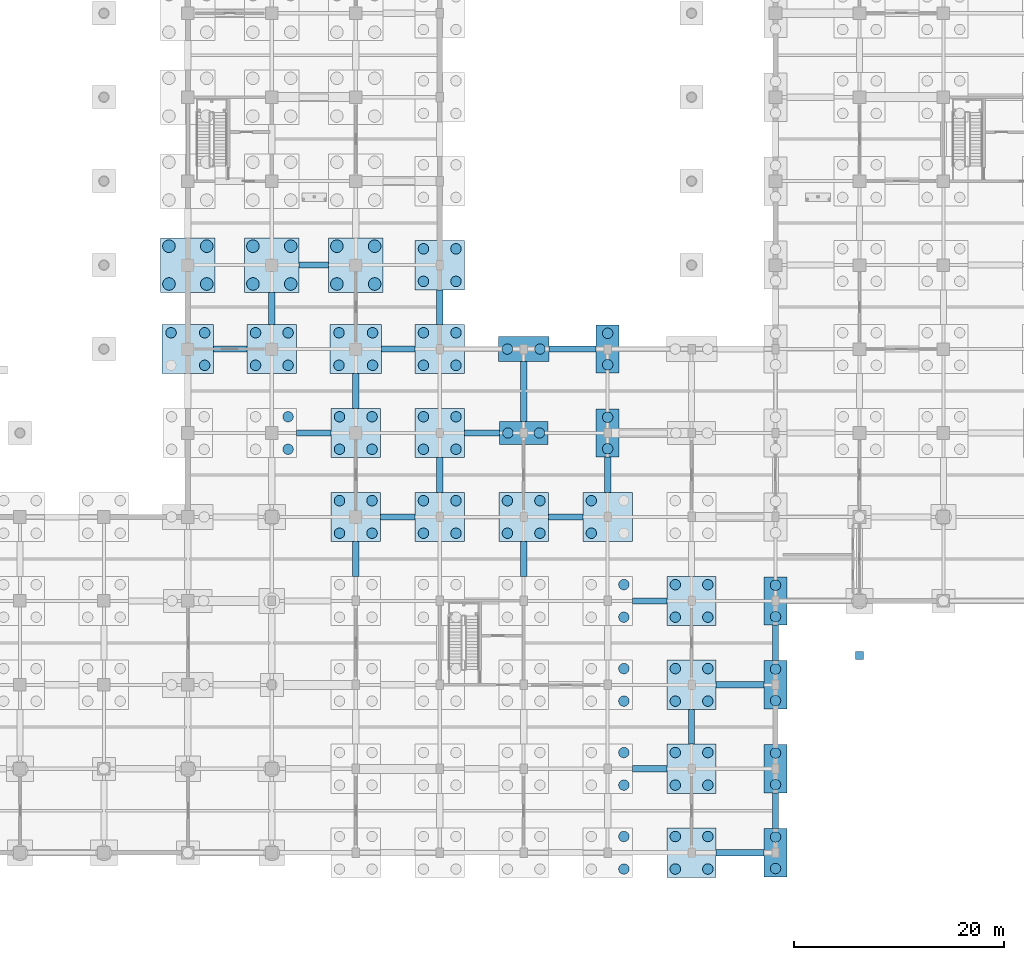
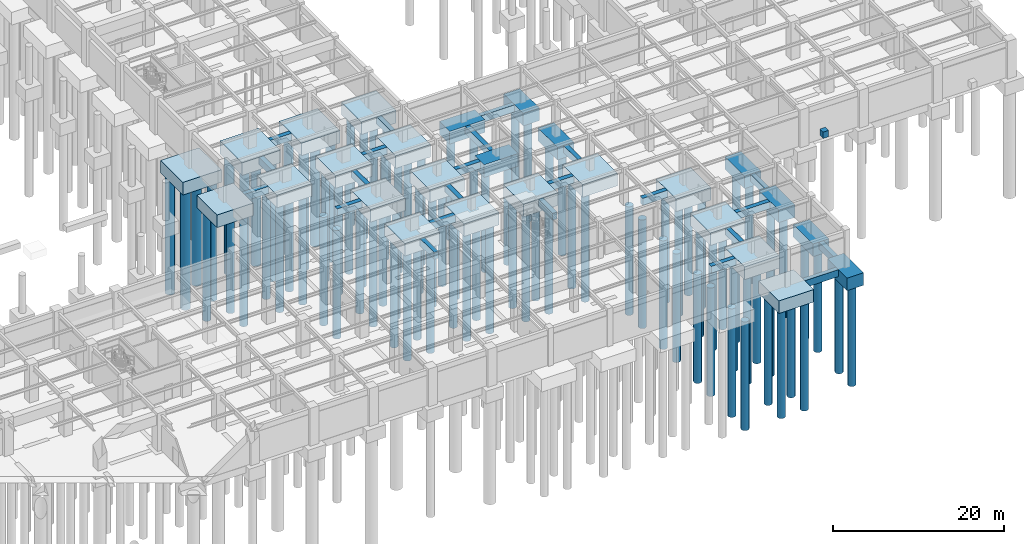
# One storey, part 9 of 97: 95 piles, 50 footings.
"""IFC4 building model written with IfcOpenShell, lengths in metres."""

from ifc_helpers import new_model, si_unit, direction, frame, origin, origin_2d, place, context, subcontext, project, spatial, rectangle, circle, extrude, material, layer, layer_set, material_profile, profile_set, type_object, element, save


model = new_model("IFC4")

# Units and contexts
model_context = context("Model", 3, precision=1e-05, world=origin(), true_north=direction((0.0, 1.0)))
body_context = subcontext(model_context, "Body", "Model", "MODEL_VIEW")
ifc_project = project(units=[si_unit("LENGTHUNIT", "METRE"), si_unit("AREAUNIT", "SQUARE_METRE"), si_unit("VOLUMEUNIT", "CUBIC_METRE"), si_unit("PLANEANGLEUNIT", "RADIAN"), si_unit("MASSUNIT", "GRAM", prefix="KILO")], contexts=[model_context])

# Site, building, storey
site_placement = place(None, origin())
site = spatial("IfcSite", under=ifc_project, at=site_placement, CompositionType="ELEMENT")
building_placement = place(site_placement, origin())
building = spatial("IfcBuilding", under=site, at=building_placement, Name="Haebicheon Civic Stadium", CompositionType="ELEMENT")
storey_placement = place(building_placement, frame((0.0, 0.0, -5.39990234375)))
storey = spatial("IfcBuildingStorey", under=building, at=storey_placement, Name="B1", CompositionType="ELEMENT", Elevation=-5.39990234375)

# Footings
ifc_material_1 = material(Name="Concrete C40/50", Category="concrete")
ifc_layer_1 = layer(ifc_material_1, 1.0, Name="Concrete C40/50")
ifc_layer_set_1 = layer_set([ifc_layer_1], Name="Concrete C40/50")
footing_type_1 = type_object("IfcFootingType", Name="FB-2800x600", PredefinedType="FOOTING_BEAM", material=ifc_layer_set_1)
footing_1_placement = place(storey_placement, frame((156.0, 56.0, -1.0), z_axis=(0.0, 0.0, 1.0), x_axis=(1.0, 0.0, 0.0)))
element("IfcFooting", 1, at=footing_1_placement, inside=storey, type_object=footing_type_1, material=ifc_layer_set_1, Name="Ground tie beam X 19-07", PredefinedType="FOOTING_BEAM", context=body_context, shape_type="SweptSolid", body=[
    extrude(rectangle(XDim=2.800048828125, YDim=0.60009765625, at=origin_2d()), origin(), (0.0, 0.0, 1.0), 1.0),
])
ifc_material_2 = material(Name="Concrete C40/50", Category="concrete")
ifc_layer_2 = layer(ifc_material_2, 1.0, Name="Concrete C40/50")
ifc_layer_set_2 = layer_set([ifc_layer_2], Name="Concrete C40/50")
footing_type_2 = type_object("IfcFootingType", Name="FB-3050x600", PredefinedType="FOOTING_BEAM", material=ifc_layer_set_2)
footing_2_placement = place(storey_placement, frame((152.0, 51.875, -1.0), z_axis=(0.0, 0.0, 1.0), x_axis=(0.0, 1.0, 0.0)))
element("IfcFooting", 2, at=footing_2_placement, inside=storey, type_object=footing_type_2, material=ifc_layer_set_2, Name="Ground tie beam Y 19-06", PredefinedType="FOOTING_BEAM", context=body_context, shape_type="SweptSolid", body=[
    extrude(rectangle(XDim=3.050048828125, YDim=0.60009765625, at=origin_2d()), origin(), (0.0, 0.0, 1.0), 1.0),
])
ifc_material_3 = material(Name="Concrete C40/50", Category="concrete")
ifc_layer_3 = layer(ifc_material_3, 1.0, Name="Concrete C40/50")
ifc_layer_set_3 = layer_set([ifc_layer_3], Name="Concrete C40/50")
footing_type_3 = type_object("IfcFootingType", Name="FB-3200x600", PredefinedType="FOOTING_BEAM", material=ifc_layer_set_3)
for number, where, z_axis, x_axis, name in (
    (3, (148.050048828125, 48.0, -1.0), (0.0, 0.0, 1.0), (1.0, 0.0, 0.0), "Ground tie beam X 18-06"),
    (4, (164.050048828125, 48.0, -1.0), (0.0, 0.0, 1.0), (1.0, 0.0, 0.0), "Ground tie beam X 20-06"),
):
    element("IfcFooting", number, at=place(storey_placement, frame(where, z_axis=z_axis, x_axis=x_axis)), inside=storey, type_object=footing_type_3, material=ifc_layer_set_3, Name=name, PredefinedType="FOOTING_BEAM", context=body_context, shape_type="SweptSolid", body=[
        extrude(rectangle(XDim=3.199951171875, YDim=0.60009765625, at=origin_2d()), origin(), (0.0, 0.0, 1.0), 1.0),
    ])
ifc_material_4 = material(Name="Concrete C40/50", Category="concrete")
ifc_layer_4 = layer(ifc_material_4, 1.0, Name="Concrete C40/50")
ifc_layer_set_4 = layer_set([ifc_layer_4], Name="Concrete C40/50")
footing_type_4 = type_object("IfcFootingType", Name="FB-3300x600", PredefinedType="FOOTING_BEAM", material=ifc_layer_set_4)
for number, where, z_axis, x_axis, name in (
    (5, (156.0, 40.0, -1.0), (0.0, 0.0, 1.0), (1.0, 0.0, 0.0), "Ground tie beam X 19-05"),
    (6, (160.0, 28.0, -1.0), (0.0, 0.0, 1.0), (0.0, 1.0, 0.0), "Ground tie beam Y 20-03"),
    (7, (164.0, 32.0, -1.0), (0.0, 0.0, 1.0), (1.0, 0.0, 0.0), "Ground tie beam X 20-04"),
    (8, (160.0, 44.0, -1.0), (0.0, 0.0, 1.0), (0.0, 1.0, 0.0), "Ground tie beam Y 20-05"),
    (9, (168.0, 36.0, -1.0), (0.0, 0.0, 1.0), (0.0, 1.0, 0.0), "Ground tie beam Y 21-04"),
    (10, (168.0, 52.0, -1.0), (0.0, 0.0, 1.0), (0.0, 1.0, 0.0), "Ground tie beam Y 21-06"),
    (11, (176.0, 28.0, -1.0), (0.0, 0.0, 1.0), (0.0, 1.0, 0.0), "Ground tie beam Y 22-03"),
    (12, (180.0, 32.0, -1.0), (0.0, 0.0, 1.0), (1.0, 0.0, 0.0), "Ground tie beam X 22-04"),
    (13, (188.0, 8.0, -1.0), (0.0, 0.0, 1.0), (1.0, 0.0, 0.0), "Ground tie beam X 23-01"),
    (14, (188.0, 24.0, -1.0), (0.0, 0.0, 1.0), (1.0, 0.0, 0.0), "Ground tie beam X 23-03"),
    (15, (192.0, 12.0, -1.0), (0.0, 0.0, 1.0), (0.0, 1.0, 0.0), "Ground tie beam Y 24-01"),
):
    element("IfcFooting", number, at=place(storey_placement, frame(where, z_axis=z_axis, x_axis=x_axis)), inside=storey, type_object=footing_type_4, material=ifc_layer_set_4, Name=name, PredefinedType="FOOTING_BEAM", context=body_context, shape_type="SweptSolid", body=[
        extrude(rectangle(XDim=3.300048828125, YDim=0.60009765625, at=origin_2d()), origin(), (0.0, 0.0, 1.0), 1.0),
    ])
ifc_material_5 = material(Name="Concrete C40/50", Category="concrete")
ifc_layer_5 = layer(ifc_material_5, 1.0, Name="Concrete C40/50")
ifc_layer_set_5 = layer_set([ifc_layer_5], Name="Concrete C40/50")
footing_type_5 = type_object("IfcFootingType", Name="FB-3350x600", PredefinedType="FOOTING_BEAM", material=ifc_layer_set_5)
for number, where, z_axis, x_axis, name in (
    (16, (172.02490234375, 40.0, -1.0), (0.0, 0.0, 1.0), (1.0, 0.0, 0.0), "Ground tie beam X 21-05"),
    (17, (184.0, 36.02490234375, -1.0), (0.0, 0.0, 1.0), (0.0, 1.0, 0.0), "Ground tie beam Y 23-04"),
):
    element("IfcFooting", number, at=place(storey_placement, frame(where, z_axis=z_axis, x_axis=x_axis)), inside=storey, type_object=footing_type_5, material=ifc_layer_set_5, Name=name, PredefinedType="FOOTING_BEAM", context=body_context, shape_type="SweptSolid", body=[
        extrude(rectangle(XDim=3.35009765625, YDim=0.60009765625, at=origin_2d()), origin(), (0.0, 0.0, 1.0), 1.0),
    ])
ifc_material_6 = material(Name="Concrete C40/50", Category="concrete")
ifc_layer_6 = layer(ifc_material_6, 1.0, Name="Concrete C40/50")
ifc_layer_set_6 = layer_set([ifc_layer_6], Name="Concrete C40/50")
footing_type_6 = type_object("IfcFootingType", Name="FB-3400x600", PredefinedType="FOOTING_BEAM", material=ifc_layer_set_6)
for number, where, z_axis, x_axis, name in (
    (18, (200.0, 4.0, -1.0), (0.0, 0.0, 1.0), (0.0, 1.0, 0.0), "Ground tie beam Y 25-00"),
    (19, (200.0, 20.0, -1.0), (0.0, 0.0, 1.0), (0.0, 1.0, 0.0), "Ground tie beam Y 25-02"),
):
    element("IfcFooting", number, at=place(storey_placement, frame(where, z_axis=z_axis, x_axis=x_axis)), inside=storey, type_object=footing_type_6, material=ifc_layer_set_6, Name=name, PredefinedType="FOOTING_BEAM", context=body_context, shape_type="SweptSolid", body=[
        extrude(rectangle(XDim=3.39990234375, YDim=0.60009765625, at=origin_2d()), origin(), (0.0, 0.0, 1.0), 1.0),
    ])
ifc_material_7 = material(Name="Concrete C40/50", Category="concrete")
ifc_layer_7 = layer(ifc_material_7, 1.0, Name="Concrete C40/50")
ifc_layer_set_7 = layer_set([ifc_layer_7], Name="Concrete C40/50")
footing_type_7 = type_object("IfcFootingType", Name="FB-4500x600", PredefinedType="FOOTING_BEAM", material=ifc_layer_set_7)
footing_3_placement = place(storey_placement, frame((180.64990234375, 48.0, -1.0), z_axis=(0.0, 0.0, 1.0), x_axis=(1.0, 0.0, 0.0)))
element("IfcFooting", 20, at=footing_3_placement, inside=storey, type_object=footing_type_7, material=ifc_layer_set_7, Name="Ground tie beam X 22-06", PredefinedType="FOOTING_BEAM", context=body_context, shape_type="SweptSolid", body=[
    extrude(rectangle(XDim=4.5, YDim=0.60009765625, at=origin_2d()), origin(), (0.0, 0.0, 1.0), 1.0),
])
ifc_material_8 = material(Name="Concrete C40/50", Category="concrete")
ifc_layer_8 = layer(ifc_material_8, 1.0, Name="Concrete C40/50")
ifc_layer_set_8 = layer_set([ifc_layer_8], Name="Concrete C40/50")
footing_type_8 = type_object("IfcFootingType", Name="FB-4550x600", PredefinedType="FOOTING_BEAM", material=ifc_layer_set_8)
for number, where, z_axis, x_axis, name in (
    (21, (196.625, 0.0, -1.0), (0.0, 0.0, 1.0), (1.0, 0.0, 0.0), "Ground tie beam X 24-00"),
    (22, (196.625, 16.0, -1.0), (0.0, 0.0, 1.0), (1.0, 0.0, 0.0), "Ground tie beam X 24-02"),
):
    element("IfcFooting", number, at=place(storey_placement, frame(where, z_axis=z_axis, x_axis=x_axis)), inside=storey, type_object=footing_type_8, material=ifc_layer_set_8, Name=name, PredefinedType="FOOTING_BEAM", context=body_context, shape_type="SweptSolid", body=[
        extrude(rectangle(XDim=4.550048828125, YDim=0.60009765625, at=origin_2d()), origin(), (0.0, 0.0, 1.0), 1.0),
    ])
ifc_material_9 = material(Name="Concrete C40/50", Category="concrete")
ifc_layer_9 = layer(ifc_material_9, 1.0, Name="Concrete C40/50")
ifc_layer_set_9 = layer_set([ifc_layer_9], Name="Concrete C40/50")
footing_type_9 = type_object("IfcFootingType", Name="FB-5700x600", PredefinedType="FOOTING_BEAM", material=ifc_layer_set_9)
footing_4_placement = place(storey_placement, frame((176.0, 43.949951171875, -1.0), z_axis=(0.0, 0.0, 1.0), x_axis=(0.0, 1.0, 0.0)))
element("IfcFooting", 23, at=footing_4_placement, inside=storey, type_object=footing_type_9, material=ifc_layer_set_9, Name="Ground tie beam Y 22-05", PredefinedType="FOOTING_BEAM", context=body_context, shape_type="SweptSolid", body=[
    extrude(rectangle(XDim=5.699951171875, YDim=0.60009765625, at=origin_2d()), origin(), (0.0, 0.0, 1.0), 1.0),
])
ifc_material_10 = material(Name="Concrete C40/50", Category="concrete")
ifc_layer_10 = layer(ifc_material_10, 1.800048828125, Name="Concrete C40/50")
ifc_layer_set_10 = layer_set([ifc_layer_10], Name="Concrete C40/50")
footing_type_10 = type_object("IfcFootingType", Name="PC-2P-2200", PredefinedType="PILE_CAP", material=ifc_layer_set_10)
for number, where, z_axis, x_axis, name in (
    (24, (184.0, 40.0, -1.80029296875), (0.0, 0.0, 1.0), (1.0, 0.0, 0.0), "Pile cap FT-PC-23-05"),
    (25, (184.0, 48.0, -1.80029296875), (0.0, 0.0, 1.0), (1.0, 0.0, 0.0), "Pile cap FT-PC-23-06"),
    (26, (200.0, 0.0, -1.80029296875), (0.0, 0.0, 1.0), (1.0, 0.0, 0.0), "Pile cap FT-PC-25-00"),
    (27, (200.0, 8.0, -1.80029296875), (0.0, 0.0, 1.0), (1.0, 0.0, 0.0), "Pile cap FT-PC-25-01"),
    (28, (200.0, 16.0, -1.80029296875), (0.0, 0.0, 1.0), (1.0, 0.0, 0.0), "Pile cap FT-PC-25-02"),
    (29, (200.0, 24.0, -1.80029296875), (0.0, 0.0, 1.0), (1.0, 0.0, 0.0), "Pile cap FT-PC-25-03"),
):
    element("IfcFooting", number, at=place(storey_placement, frame(where, z_axis=z_axis, x_axis=x_axis)), inside=storey, type_object=footing_type_10, material=ifc_layer_set_10, Name=name, PredefinedType="PILE_CAP", context=body_context, shape_type="SweptSolid", body=[
        extrude(rectangle(XDim=2.199951171875, YDim=4.60009765625, at=origin_2d()), origin(), (0.0, 0.0, 1.0), 1.800048828125),
    ])
ifc_material_11 = material(Name="Concrete C40/50", Category="concrete")
ifc_layer_11 = layer(ifc_material_11, 1.800048828125, Name="Concrete C40/50")
ifc_layer_set_11 = layer_set([ifc_layer_11], Name="Concrete C40/50")
footing_type_11 = type_object("IfcFootingType", Name="PC-2P-4600", PredefinedType="PILE_CAP", material=ifc_layer_set_11)
footing_5_placement = place(storey_placement, frame((176.0, 40.0, -1.80029296875), z_axis=(0.0, 0.0, 1.0), x_axis=(1.0, 0.0, 0.0)))
element("IfcFooting", 30, at=footing_5_placement, inside=storey, type_object=footing_type_11, material=ifc_layer_set_11, Name="Pile cap FT-PC-22-05", PredefinedType="PILE_CAP", context=body_context, shape_type="SweptSolid", body=[
    extrude(rectangle(XDim=4.60009765625, YDim=2.199951171875, at=origin_2d()), origin(), (0.0, 0.0, 1.0), 1.800048828125),
])
ifc_material_12 = material(Name="Concrete C40/50", Category="concrete")
ifc_layer_12 = layer(ifc_material_12, 1.800048828125, Name="Concrete C40/50")
ifc_layer_set_12 = layer_set([ifc_layer_12], Name="Concrete C40/50")
footing_type_12 = type_object("IfcFootingType", Name="PC-2P-4800", PredefinedType="PILE_CAP", material=ifc_layer_set_12)
footing_6_placement = place(storey_placement, frame((176.0, 48.0, -1.80029296875), z_axis=(0.0, 0.0, 1.0), x_axis=(1.0, 0.0, 0.0)))
element("IfcFooting", 31, at=footing_6_placement, inside=storey, type_object=footing_type_12, material=ifc_layer_set_12, Name="Pile cap FT-PC-22-06", PredefinedType="PILE_CAP", context=body_context, shape_type="SweptSolid", body=[
    extrude(rectangle(XDim=4.800048828125, YDim=2.39990234375, at=origin_2d()), origin(), (0.0, 0.0, 1.0), 1.800048828125),
])
ifc_material_13 = material(Name="Concrete C40/50", Category="concrete")
ifc_layer_13 = layer(ifc_material_13, 1.800048828125, Name="Concrete C40/50")
ifc_layer_set_13 = layer_set([ifc_layer_13], Name="Concrete C40/50")
footing_type_13 = type_object("IfcFootingType", Name="PC-4P-4700", PredefinedType="PILE_CAP", material=ifc_layer_set_13)
for number, where, z_axis, x_axis, name in (
    (32, (152.0, 48.0, -1.80029296875), (0.0, 0.0, 1.0), (1.0, 0.0, 0.0), "Pile cap FT-PC-19-06"),
    (33, (160.0, 32.0, -1.80029296875), (0.0, 0.0, 1.0), (1.0, 0.0, 0.0), "Pile cap FT-PC-20-04"),
    (34, (160.0, 40.0, -1.80029296875), (0.0, 0.0, 1.0), (1.0, 0.0, 0.0), "Pile cap FT-PC-20-05"),
    (35, (168.0, 32.0, -1.80029296875), (0.0, 0.0, 1.0), (1.0, 0.0, 0.0), "Pile cap FT-PC-21-04"),
    (36, (168.0, 40.0, -1.80029296875), (0.0, 0.0, 1.0), (1.0, 0.0, 0.0), "Pile cap FT-PC-21-05"),
    (37, (168.0, 48.0, -1.80029296875), (0.0, 0.0, 1.0), (1.0, 0.0, 0.0), "Pile cap FT-PC-21-06"),
    (38, (168.0, 56.0, -1.80029296875), (0.0, 0.0, 1.0), (1.0, 0.0, 0.0), "Pile cap FT-PC-21-07"),
    (39, (176.0, 32.0, -1.80029296875), (0.0, 0.0, 1.0), (1.0, 0.0, 0.0), "Pile cap FT-PC-22-04"),
    (40, (184.0, 32.0, -1.80029296875), (0.0, 0.0, 1.0), (1.0, 0.0, 0.0), "Pile cap FT-PC-23-04"),
    (41, (192.0, 0.0, -1.80029296875), (0.0, 0.0, 1.0), (1.0, 0.0, 0.0), "Pile cap FT-PC-24-00"),
    (42, (192.0, 8.0, -1.80029296875), (0.0, 0.0, 1.0), (1.0, 0.0, 0.0), "Pile cap FT-PC-24-01"),
    (43, (192.0, 16.0, -1.80029296875), (0.0, 0.0, 1.0), (1.0, 0.0, 0.0), "Pile cap FT-PC-24-02"),
    (44, (192.0, 24.0, -1.80029296875), (0.0, 0.0, 1.0), (1.0, 0.0, 0.0), "Pile cap FT-PC-24-03"),
):
    element("IfcFooting", number, at=place(storey_placement, frame(where, z_axis=z_axis, x_axis=x_axis)), inside=storey, type_object=footing_type_13, material=ifc_layer_set_13, Name=name, PredefinedType="PILE_CAP", context=body_context, shape_type="SweptSolid", body=[
        extrude(rectangle(XDim=4.699951171875, YDim=4.699951171875, at=origin_2d()), origin(), (0.0, 0.0, 1.0), 1.800048828125),
    ])
ifc_material_14 = material(Name="Concrete C40/50", Category="concrete")
ifc_layer_14 = layer(ifc_material_14, 1.800048828125, Name="Concrete C40/50")
ifc_layer_set_14 = layer_set([ifc_layer_14], Name="Concrete C40/50")
footing_type_14 = type_object("IfcFootingType", Name="PC-4P-4900", PredefinedType="PILE_CAP", material=ifc_layer_set_14)
for number, where, z_axis, x_axis, name in (
    (45, (144.0, 48.0, -1.80029296875), (0.0, 0.0, 1.0), (1.0, 0.0, 0.0), "Pile cap FT-PC-18-06"),
    (46, (160.0, 48.0, -1.80029296875), (0.0, 0.0, 1.0), (1.0, 0.0, 0.0), "Pile cap FT-PC-20-06"),
):
    element("IfcFooting", number, at=place(storey_placement, frame(where, z_axis=z_axis, x_axis=x_axis)), inside=storey, type_object=footing_type_14, material=ifc_layer_set_14, Name=name, PredefinedType="PILE_CAP", context=body_context, shape_type="SweptSolid", body=[
        extrude(rectangle(XDim=4.89990234375, YDim=4.699951171875, at=origin_2d()), origin(), (0.0, 0.0, 1.0), 1.800048828125),
    ])
ifc_material_15 = material(Name="Concrete C40/50", Category="concrete")
ifc_layer_15 = layer(ifc_material_15, 1.800048828125, Name="Concrete C40/50")
ifc_layer_set_15 = layer_set([ifc_layer_15], Name="Concrete C40/50")
footing_type_15 = type_object("IfcFootingType", Name="PC-4P-5200", PredefinedType="PILE_CAP", material=ifc_layer_set_15)
for number, where, z_axis, x_axis, name in (
    (47, (144.0, 56.0, -1.80029296875), (0.0, 0.0, 1.0), (1.0, 0.0, 0.0), "Pile cap FT-PC-18-07"),
    (48, (152.0, 56.0, -1.80029296875), (0.0, 0.0, 1.0), (1.0, 0.0, 0.0), "Pile cap FT-PC-19-07"),
    (49, (160.0, 56.0, -1.80029296875), (0.0, 0.0, 1.0), (1.0, 0.0, 0.0), "Pile cap FT-PC-20-07"),
):
    element("IfcFooting", number, at=place(storey_placement, frame(where, z_axis=z_axis, x_axis=x_axis)), inside=storey, type_object=footing_type_15, material=ifc_layer_set_15, Name=name, PredefinedType="PILE_CAP", context=body_context, shape_type="SweptSolid", body=[
        extrude(rectangle(XDim=5.199951171875, YDim=5.199951171875, at=origin_2d()), origin(), (0.0, 0.0, 1.0), 1.800048828125),
    ])
ifc_material_16 = material(Name="Concrete C35/45", Category="concrete")
ifc_layer_16 = layer(ifc_material_16, 0.89990234375, Name="Concrete C35/45")
ifc_layer_set_16 = layer_set([ifc_layer_16], Name="Concrete C35/45")
footing_type_16 = type_object("IfcFootingType", Name="PF-750", PredefinedType="PAD_FOOTING", material=ifc_layer_set_16)
footing_7_placement = place(storey_placement, frame((208.0, 18.800048828125, 4.300048828125), z_axis=(0.0, 0.0, 1.0), x_axis=(1.0, 0.0, 0.0)))
element("IfcFooting", 50, at=footing_7_placement, inside=storey, type_object=footing_type_16, material=ifc_layer_set_16, Name="Exterior plaza apron pad footing APR-SE-1", PredefinedType="PAD_FOOTING", context=body_context, shape_type="SweptSolid", body=[
    extrude(rectangle(XDim=0.75, YDim=0.75, at=origin_2d()), origin(), (0.0, 0.0, 1.0), 0.89990234375),
])

# Piles
ifc_material_17 = material(Name="Concrete C40/50", Category="concrete")
ifc_material_profile_1 = material_profile(ifc_material_17, circle(Radius=0.5, at=origin_2d()), Name="PILE-D1000")
ifc_profile_set_1 = profile_set([ifc_material_profile_1], Name="Concrete C40/50")
pile_type_1 = type_object("IfcPileType", Name="PL-D1000", PredefinedType="BORED", material=ifc_profile_set_1)
for number, where, z_axis, x_axis, name in (
    (51, (145.60009765625, 46.449951171875, -1.7001953125), (0.0, 0.0, -1.0), (1.0, 0.0, 0.0), "Bored pile 18-06-2"),
    (52, (142.39990234375, 49.550048828125, -1.7001953125), (0.0, 0.0, -1.0), (1.0, 0.0, 0.0), "Bored pile 18-06-3"),
    (53, (145.60009765625, 49.550048828125, -1.7001953125), (0.0, 0.0, -1.0), (1.0, 0.0, 0.0), "Bored pile 18-06-4"),
):
    element("IfcPile", number, at=place(storey_placement, frame(where, z_axis=z_axis, x_axis=x_axis)), inside=storey, type_object=pile_type_1, material=ifc_profile_set_1, Name=name, PredefinedType="BORED", context=body_context, shape_type="SweptSolid", body=[
        extrude(circle(Radius=0.5, at=origin_2d()), origin(), (0.0, 0.0, 1.0), 15.800048828125),
    ])
for number, where, z_axis, x_axis, name in (
    (54, (153.550048828125, 38.449951171875, -1.7001953125), (0.0, 0.0, -1.0), (1.0, 0.0, 0.0), "Bored pile 19-05-2"),
    (55, (153.550048828125, 41.550048828125, -1.7001953125), (0.0, 0.0, -1.0), (1.0, 0.0, 0.0), "Bored pile 19-05-4"),
    (56, (150.449951171875, 46.449951171875, -1.7001953125), (0.0, 0.0, -1.0), (1.0, 0.0, 0.0), "Bored pile 19-06-1"),
    (57, (153.550048828125, 46.449951171875, -1.7001953125), (0.0, 0.0, -1.0), (1.0, 0.0, 0.0), "Bored pile 19-06-2"),
    (58, (150.449951171875, 49.550048828125, -1.7001953125), (0.0, 0.0, -1.0), (1.0, 0.0, 0.0), "Bored pile 19-06-3"),
    (59, (153.550048828125, 49.550048828125, -1.7001953125), (0.0, 0.0, -1.0), (1.0, 0.0, 0.0), "Bored pile 19-06-4"),
    (60, (158.449951171875, 30.449951171875, -1.7001953125), (0.0, 0.0, -1.0), (1.0, 0.0, 0.0), "Bored pile 20-04-1"),
    (61, (161.550048828125, 30.449951171875, -1.7001953125), (0.0, 0.0, -1.0), (1.0, 0.0, 0.0), "Bored pile 20-04-2"),
    (62, (158.449951171875, 33.550048828125, -1.7001953125), (0.0, 0.0, -1.0), (1.0, 0.0, 0.0), "Bored pile 20-04-3"),
    (63, (161.550048828125, 33.550048828125, -1.7001953125), (0.0, 0.0, -1.0), (1.0, 0.0, 0.0), "Bored pile 20-04-4"),
    (64, (158.449951171875, 38.449951171875, -1.7001953125), (0.0, 0.0, -1.0), (1.0, 0.0, 0.0), "Bored pile 20-05-1"),
    (65, (161.550048828125, 38.449951171875, -1.7001953125), (0.0, 0.0, -1.0), (1.0, 0.0, 0.0), "Bored pile 20-05-2"),
    (66, (158.449951171875, 41.550048828125, -1.7001953125), (0.0, 0.0, -1.0), (1.0, 0.0, 0.0), "Bored pile 20-05-3"),
    (67, (161.550048828125, 41.550048828125, -1.7001953125), (0.0, 0.0, -1.0), (1.0, 0.0, 0.0), "Bored pile 20-05-4"),
):
    element("IfcPile", number, at=place(storey_placement, frame(where, z_axis=z_axis, x_axis=x_axis)), inside=storey, type_object=pile_type_1, material=ifc_profile_set_1, Name=name, PredefinedType="BORED", context=body_context, shape_type="SweptSolid", body=[
        extrude(circle(Radius=0.5, at=origin_2d()), origin(), (0.0, 0.0, 1.0), 15.5),
    ])
for number, where, z_axis, x_axis, name in (
    (68, (158.39990234375, 46.449951171875, -1.7001953125), (0.0, 0.0, -1.0), (1.0, 0.0, 0.0), "Bored pile 20-06-1"),
    (69, (161.60009765625, 46.449951171875, -1.7001953125), (0.0, 0.0, -1.0), (1.0, 0.0, 0.0), "Bored pile 20-06-2"),
    (70, (158.39990234375, 49.550048828125, -1.7001953125), (0.0, 0.0, -1.0), (1.0, 0.0, 0.0), "Bored pile 20-06-3"),
    (71, (161.60009765625, 49.550048828125, -1.7001953125), (0.0, 0.0, -1.0), (1.0, 0.0, 0.0), "Bored pile 20-06-4"),
):
    element("IfcPile", number, at=place(storey_placement, frame(where, z_axis=z_axis, x_axis=x_axis)), inside=storey, type_object=pile_type_1, material=ifc_profile_set_1, Name=name, PredefinedType="BORED", context=body_context, shape_type="SweptSolid", body=[
        extrude(circle(Radius=0.5, at=origin_2d()), origin(), (0.0, 0.0, 1.0), 15.800048828125),
    ])
for number, where, z_axis, x_axis, name in (
    (72, (166.449951171875, 30.449951171875, -1.7001953125), (0.0, 0.0, -1.0), (1.0, 0.0, 0.0), "Bored pile 21-04-1"),
    (73, (169.550048828125, 30.449951171875, -1.7001953125), (0.0, 0.0, -1.0), (1.0, 0.0, 0.0), "Bored pile 21-04-2"),
    (74, (166.449951171875, 33.550048828125, -1.7001953125), (0.0, 0.0, -1.0), (1.0, 0.0, 0.0), "Bored pile 21-04-3"),
    (75, (169.550048828125, 33.550048828125, -1.7001953125), (0.0, 0.0, -1.0), (1.0, 0.0, 0.0), "Bored pile 21-04-4"),
    (76, (166.449951171875, 38.449951171875, -1.7001953125), (0.0, 0.0, -1.0), (1.0, 0.0, 0.0), "Bored pile 21-05-1"),
    (77, (169.550048828125, 38.449951171875, -1.7001953125), (0.0, 0.0, -1.0), (1.0, 0.0, 0.0), "Bored pile 21-05-2"),
    (78, (166.449951171875, 41.550048828125, -1.7001953125), (0.0, 0.0, -1.0), (1.0, 0.0, 0.0), "Bored pile 21-05-3"),
    (79, (169.550048828125, 41.550048828125, -1.7001953125), (0.0, 0.0, -1.0), (1.0, 0.0, 0.0), "Bored pile 21-05-4"),
    (80, (166.449951171875, 46.449951171875, -1.7001953125), (0.0, 0.0, -1.0), (1.0, 0.0, 0.0), "Bored pile 21-06-1"),
    (81, (169.550048828125, 46.449951171875, -1.7001953125), (0.0, 0.0, -1.0), (1.0, 0.0, 0.0), "Bored pile 21-06-2"),
    (82, (166.449951171875, 49.550048828125, -1.7001953125), (0.0, 0.0, -1.0), (1.0, 0.0, 0.0), "Bored pile 21-06-3"),
    (83, (169.550048828125, 49.550048828125, -1.7001953125), (0.0, 0.0, -1.0), (1.0, 0.0, 0.0), "Bored pile 21-06-4"),
    (84, (166.449951171875, 54.449951171875, -1.7001953125), (0.0, 0.0, -1.0), (1.0, 0.0, 0.0), "Bored pile 21-07-1"),
    (85, (169.550048828125, 54.449951171875, -1.7001953125), (0.0, 0.0, -1.0), (1.0, 0.0, 0.0), "Bored pile 21-07-2"),
    (86, (166.449951171875, 57.550048828125, -1.7001953125), (0.0, 0.0, -1.0), (1.0, 0.0, 0.0), "Bored pile 21-07-3"),
    (87, (169.550048828125, 57.550048828125, -1.7001953125), (0.0, 0.0, -1.0), (1.0, 0.0, 0.0), "Bored pile 21-07-4"),
    (88, (174.449951171875, 30.449951171875, -1.7001953125), (0.0, 0.0, -1.0), (1.0, 0.0, 0.0), "Bored pile 22-04-1"),
    (89, (177.550048828125, 30.449951171875, -1.7001953125), (0.0, 0.0, -1.0), (1.0, 0.0, 0.0), "Bored pile 22-04-2"),
    (90, (174.449951171875, 33.550048828125, -1.7001953125), (0.0, 0.0, -1.0), (1.0, 0.0, 0.0), "Bored pile 22-04-3"),
    (91, (177.550048828125, 33.550048828125, -1.7001953125), (0.0, 0.0, -1.0), (1.0, 0.0, 0.0), "Bored pile 22-04-4"),
):
    element("IfcPile", number, at=place(storey_placement, frame(where, z_axis=z_axis, x_axis=x_axis)), inside=storey, type_object=pile_type_1, material=ifc_profile_set_1, Name=name, PredefinedType="BORED", context=body_context, shape_type="SweptSolid", body=[
        extrude(circle(Radius=0.5, at=origin_2d()), origin(), (0.0, 0.0, 1.0), 15.5),
    ])
for number, where, z_axis, x_axis, name in (
    (92, (174.5, 40.0, -1.7001953125), (0.0, 0.0, -1.0), (1.0, 0.0, 0.0), "Bored pile 22-05-1"),
    (93, (177.5, 40.0, -1.7001953125), (0.0, 0.0, -1.0), (1.0, 0.0, 0.0), "Bored pile 22-05-2"),
):
    element("IfcPile", number, at=place(storey_placement, frame(where, z_axis=z_axis, x_axis=x_axis)), inside=storey, type_object=pile_type_1, material=ifc_profile_set_1, Name=name, PredefinedType="BORED", context=body_context, shape_type="SweptSolid", body=[
        extrude(circle(Radius=0.5, at=origin_2d()), origin(), (0.0, 0.0, 1.0), 14.300048828125),
    ])
for number, where, z_axis, x_axis, name in (
    (94, (174.449951171875, 48.0, -1.7001953125), (0.0, 0.0, -1.0), (1.0, 0.0, 0.0), "Bored pile 22-06-1"),
    (95, (177.550048828125, 48.0, -1.7001953125), (0.0, 0.0, -1.0), (1.0, 0.0, 0.0), "Bored pile 22-06-2"),
):
    element("IfcPile", number, at=place(storey_placement, frame(where, z_axis=z_axis, x_axis=x_axis)), inside=storey, type_object=pile_type_1, material=ifc_profile_set_1, Name=name, PredefinedType="BORED", context=body_context, shape_type="SweptSolid", body=[
        extrude(circle(Radius=0.5, at=origin_2d()), origin(), (0.0, 0.0, 1.0), 14.60009765625),
    ])
for number, where, z_axis, x_axis, name in (
    (96, (185.550048828125, -1.550048828125, -1.7001953125), (0.0, 0.0, -1.0), (1.0, 0.0, 0.0), "Bored pile 23-00-2"),
    (97, (185.550048828125, 1.550048828125, -1.7001953125), (0.0, 0.0, -1.0), (1.0, 0.0, 0.0), "Bored pile 23-00-4"),
    (98, (185.550048828125, 6.449951171875, -1.7001953125), (0.0, 0.0, -1.0), (1.0, 0.0, 0.0), "Bored pile 23-01-2"),
    (99, (185.550048828125, 9.550048828125, -1.7001953125), (0.0, 0.0, -1.0), (1.0, 0.0, 0.0), "Bored pile 23-01-4"),
    (100, (185.550048828125, 14.449951171875, -1.7001953125), (0.0, 0.0, -1.0), (1.0, 0.0, 0.0), "Bored pile 23-02-2"),
    (101, (185.550048828125, 17.550048828125, -1.7001953125), (0.0, 0.0, -1.0), (1.0, 0.0, 0.0), "Bored pile 23-02-4"),
    (102, (185.550048828125, 22.449951171875, -1.7001953125), (0.0, 0.0, -1.0), (1.0, 0.0, 0.0), "Bored pile 23-03-2"),
    (103, (185.550048828125, 25.550048828125, -1.7001953125), (0.0, 0.0, -1.0), (1.0, 0.0, 0.0), "Bored pile 23-03-4"),
    (104, (182.449951171875, 30.449951171875, -1.7001953125), (0.0, 0.0, -1.0), (1.0, 0.0, 0.0), "Bored pile 23-04-1"),
    (105, (182.449951171875, 33.550048828125, -1.7001953125), (0.0, 0.0, -1.0), (1.0, 0.0, 0.0), "Bored pile 23-04-3"),
):
    element("IfcPile", number, at=place(storey_placement, frame(where, z_axis=z_axis, x_axis=x_axis)), inside=storey, type_object=pile_type_1, material=ifc_profile_set_1, Name=name, PredefinedType="BORED", context=body_context, shape_type="SweptSolid", body=[
        extrude(circle(Radius=0.5, at=origin_2d()), origin(), (0.0, 0.0, 1.0), 15.5),
    ])
for number, where, z_axis, x_axis, name in (
    (106, (184.0, 38.5, -1.7001953125), (0.0, 0.0, -1.0), (1.0, 0.0, 0.0), "Bored pile 23-05-1"),
    (107, (184.0, 41.5, -1.7001953125), (0.0, 0.0, -1.0), (1.0, 0.0, 0.0), "Bored pile 23-05-2"),
    (108, (184.0, 46.5, -1.7001953125), (0.0, 0.0, -1.0), (1.0, 0.0, 0.0), "Bored pile 23-06-1"),
    (109, (184.0, 49.5, -1.7001953125), (0.0, 0.0, -1.0), (1.0, 0.0, 0.0), "Bored pile 23-06-2"),
):
    element("IfcPile", number, at=place(storey_placement, frame(where, z_axis=z_axis, x_axis=x_axis)), inside=storey, type_object=pile_type_1, material=ifc_profile_set_1, Name=name, PredefinedType="BORED", context=body_context, shape_type="SweptSolid", body=[
        extrude(circle(Radius=0.5, at=origin_2d()), origin(), (0.0, 0.0, 1.0), 14.300048828125),
    ])
for number, where, z_axis, x_axis, name in (
    (110, (190.449951171875, -1.550048828125, -1.7001953125), (0.0, 0.0, -1.0), (1.0, 0.0, 0.0), "Bored pile 24-00-1"),
    (111, (193.550048828125, -1.550048828125, -1.7001953125), (0.0, 0.0, -1.0), (1.0, 0.0, 0.0), "Bored pile 24-00-2"),
    (112, (190.449951171875, 1.550048828125, -1.7001953125), (0.0, 0.0, -1.0), (1.0, 0.0, 0.0), "Bored pile 24-00-3"),
    (113, (193.550048828125, 1.550048828125, -1.7001953125), (0.0, 0.0, -1.0), (1.0, 0.0, 0.0), "Bored pile 24-00-4"),
    (114, (190.449951171875, 6.449951171875, -1.7001953125), (0.0, 0.0, -1.0), (1.0, 0.0, 0.0), "Bored pile 24-01-1"),
    (115, (193.550048828125, 6.449951171875, -1.7001953125), (0.0, 0.0, -1.0), (1.0, 0.0, 0.0), "Bored pile 24-01-2"),
    (116, (190.449951171875, 9.550048828125, -1.7001953125), (0.0, 0.0, -1.0), (1.0, 0.0, 0.0), "Bored pile 24-01-3"),
    (117, (193.550048828125, 9.550048828125, -1.7001953125), (0.0, 0.0, -1.0), (1.0, 0.0, 0.0), "Bored pile 24-01-4"),
    (118, (190.449951171875, 14.449951171875, -1.7001953125), (0.0, 0.0, -1.0), (1.0, 0.0, 0.0), "Bored pile 24-02-1"),
    (119, (193.550048828125, 14.449951171875, -1.7001953125), (0.0, 0.0, -1.0), (1.0, 0.0, 0.0), "Bored pile 24-02-2"),
    (120, (190.449951171875, 17.550048828125, -1.7001953125), (0.0, 0.0, -1.0), (1.0, 0.0, 0.0), "Bored pile 24-02-3"),
    (121, (193.550048828125, 17.550048828125, -1.7001953125), (0.0, 0.0, -1.0), (1.0, 0.0, 0.0), "Bored pile 24-02-4"),
    (122, (190.449951171875, 22.449951171875, -1.7001953125), (0.0, 0.0, -1.0), (1.0, 0.0, 0.0), "Bored pile 24-03-1"),
    (123, (193.550048828125, 22.449951171875, -1.7001953125), (0.0, 0.0, -1.0), (1.0, 0.0, 0.0), "Bored pile 24-03-2"),
    (124, (190.449951171875, 25.550048828125, -1.7001953125), (0.0, 0.0, -1.0), (1.0, 0.0, 0.0), "Bored pile 24-03-3"),
    (125, (193.550048828125, 25.550048828125, -1.7001953125), (0.0, 0.0, -1.0), (1.0, 0.0, 0.0), "Bored pile 24-03-4"),
):
    element("IfcPile", number, at=place(storey_placement, frame(where, z_axis=z_axis, x_axis=x_axis)), inside=storey, type_object=pile_type_1, material=ifc_profile_set_1, Name=name, PredefinedType="BORED", context=body_context, shape_type="SweptSolid", body=[
        extrude(circle(Radius=0.5, at=origin_2d()), origin(), (0.0, 0.0, 1.0), 15.5),
    ])
for number, where, z_axis, x_axis, name in (
    (126, (200.0, -1.5, -1.7001953125), (0.0, 0.0, -1.0), (1.0, 0.0, 0.0), "Bored pile 25-00-1"),
    (127, (200.0, 1.5, -1.7001953125), (0.0, 0.0, -1.0), (1.0, 0.0, 0.0), "Bored pile 25-00-2"),
    (128, (200.0, 6.5, -1.7001953125), (0.0, 0.0, -1.0), (1.0, 0.0, 0.0), "Bored pile 25-01-1"),
    (129, (200.0, 9.5, -1.7001953125), (0.0, 0.0, -1.0), (1.0, 0.0, 0.0), "Bored pile 25-01-2"),
    (130, (200.0, 14.5, -1.7001953125), (0.0, 0.0, -1.0), (1.0, 0.0, 0.0), "Bored pile 25-02-1"),
    (131, (200.0, 17.5, -1.7001953125), (0.0, 0.0, -1.0), (1.0, 0.0, 0.0), "Bored pile 25-02-2"),
    (132, (200.0, 22.5, -1.7001953125), (0.0, 0.0, -1.0), (1.0, 0.0, 0.0), "Bored pile 25-03-1"),
    (133, (200.0, 25.5, -1.7001953125), (0.0, 0.0, -1.0), (1.0, 0.0, 0.0), "Bored pile 25-03-2"),
):
    element("IfcPile", number, at=place(storey_placement, frame(where, z_axis=z_axis, x_axis=x_axis)), inside=storey, type_object=pile_type_1, material=ifc_profile_set_1, Name=name, PredefinedType="BORED", context=body_context, shape_type="SweptSolid", body=[
        extrude(circle(Radius=0.5, at=origin_2d()), origin(), (0.0, 0.0, 1.0), 14.300048828125),
    ])
ifc_material_18 = material(Name="Concrete C40/50", Category="concrete")
ifc_material_profile_2 = material_profile(ifc_material_18, circle(Radius=0.60009765625, at=origin_2d()), Name="PILE-D1200")
ifc_profile_set_2 = profile_set([ifc_material_profile_2], Name="Concrete C40/50")
pile_type_2 = type_object("IfcPileType", Name="PL-D1200", PredefinedType="BORED", material=ifc_profile_set_2)
for number, where, z_axis, x_axis, name in (
    (134, (142.199951171875, 54.199951171875, -1.7001953125), (0.0, 0.0, -1.0), (1.0, 0.0, 0.0), "Bored pile 18-07-1"),
    (135, (145.800048828125, 54.199951171875, -1.7001953125), (0.0, 0.0, -1.0), (1.0, 0.0, 0.0), "Bored pile 18-07-2"),
    (136, (142.199951171875, 57.800048828125, -1.7001953125), (0.0, 0.0, -1.0), (1.0, 0.0, 0.0), "Bored pile 18-07-3"),
    (137, (145.800048828125, 57.800048828125, -1.7001953125), (0.0, 0.0, -1.0), (1.0, 0.0, 0.0), "Bored pile 18-07-4"),
    (138, (150.199951171875, 54.199951171875, -1.7001953125), (0.0, 0.0, -1.0), (1.0, 0.0, 0.0), "Bored pile 19-07-1"),
    (139, (153.800048828125, 54.199951171875, -1.7001953125), (0.0, 0.0, -1.0), (1.0, 0.0, 0.0), "Bored pile 19-07-2"),
    (140, (150.199951171875, 57.800048828125, -1.7001953125), (0.0, 0.0, -1.0), (1.0, 0.0, 0.0), "Bored pile 19-07-3"),
    (141, (153.800048828125, 57.800048828125, -1.7001953125), (0.0, 0.0, -1.0), (1.0, 0.0, 0.0), "Bored pile 19-07-4"),
    (142, (158.199951171875, 54.199951171875, -1.7001953125), (0.0, 0.0, -1.0), (1.0, 0.0, 0.0), "Bored pile 20-07-1"),
    (143, (161.800048828125, 54.199951171875, -1.7001953125), (0.0, 0.0, -1.0), (1.0, 0.0, 0.0), "Bored pile 20-07-2"),
    (144, (158.199951171875, 57.800048828125, -1.7001953125), (0.0, 0.0, -1.0), (1.0, 0.0, 0.0), "Bored pile 20-07-3"),
    (145, (161.800048828125, 57.800048828125, -1.7001953125), (0.0, 0.0, -1.0), (1.0, 0.0, 0.0), "Bored pile 20-07-4"),
):
    element("IfcPile", number, at=place(storey_placement, frame(where, z_axis=z_axis, x_axis=x_axis)), inside=storey, type_object=pile_type_2, material=ifc_profile_set_2, Name=name, PredefinedType="BORED", context=body_context, shape_type="SweptSolid", body=[
        extrude(circle(Radius=0.60009765625, at=origin_2d()), origin(), (0.0, 0.0, 1.0), 16.89990234375),
    ])

save(model, "model.ifc")
